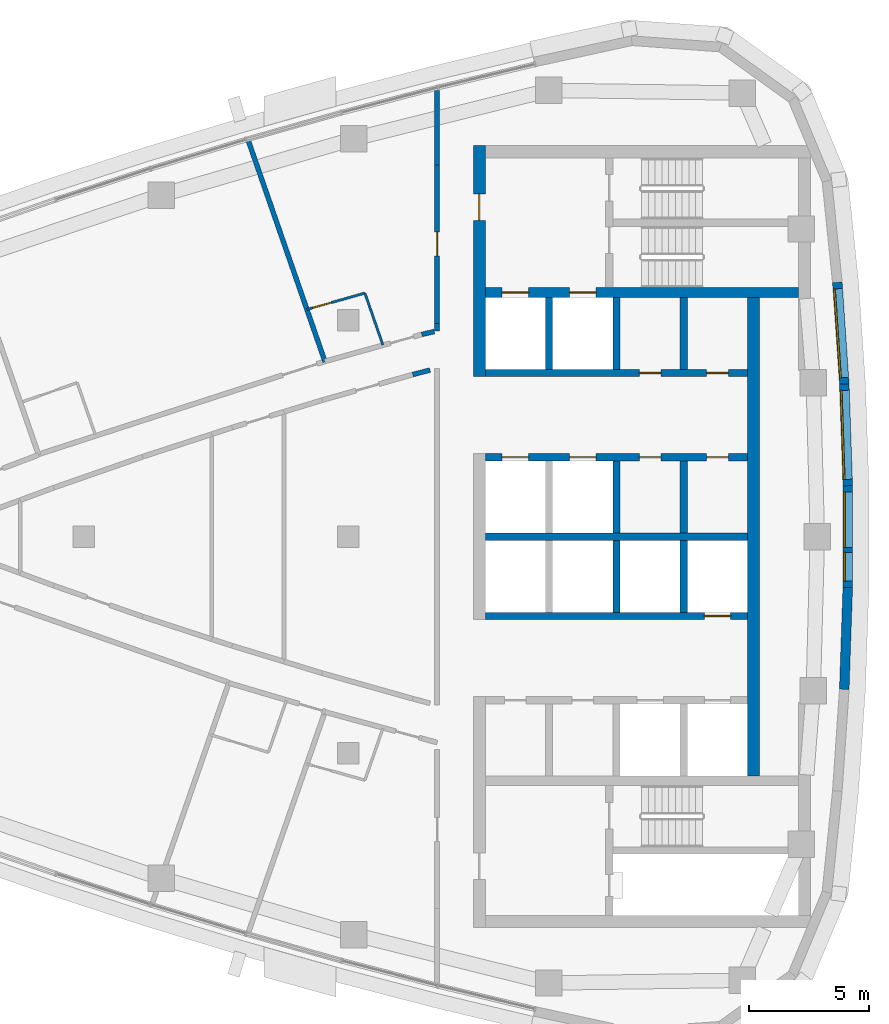
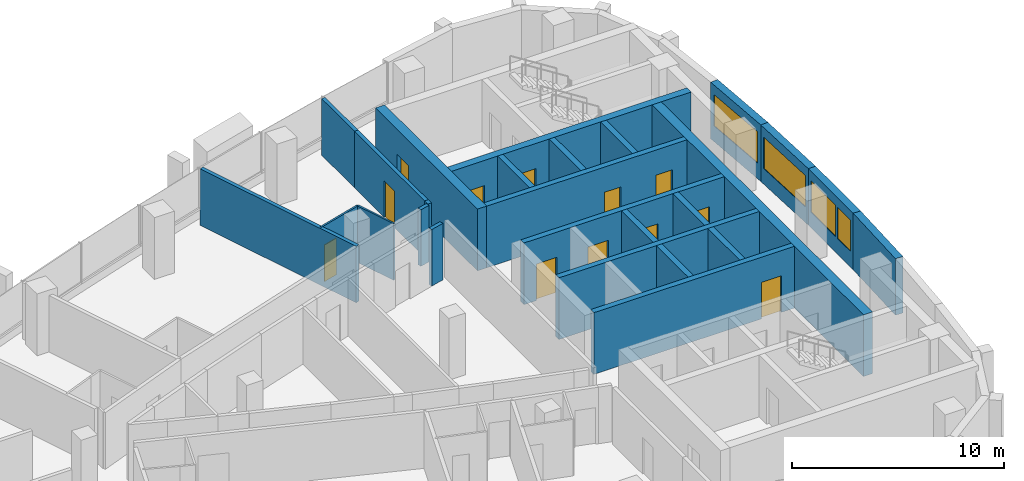
# One storey, part 9 of 14: 26 walls, 12 doors, 4 windows, 16 openings.
"""IFC4 building model written with IfcOpenShell, lengths in metres."""

from ifc_helpers import new_model, si_unit, direction, frame, frame_2d, origin, place, context, subcontext, project, spatial, polyline, rectangle, outline, extrude, material, layer, layer_set, type_object, element, fill, save


model = new_model("IFC4")

# Units and contexts
model_context = context("Model", 3, precision=1e-05, world=origin(), true_north=direction((0.0, 1.0)))
body_context = subcontext(model_context, "Body", "Model", "MODEL_VIEW")
ifc_project = project(units=[si_unit("LENGTHUNIT", "METRE"), si_unit("AREAUNIT", "SQUARE_METRE"), si_unit("VOLUMEUNIT", "CUBIC_METRE"), si_unit("PLANEANGLEUNIT", "RADIAN"), si_unit("MASSUNIT", "GRAM", prefix="KILO")], contexts=[model_context])

# Site, building, storey
site_placement = place(None, origin())
site = spatial("IfcSite", under=ifc_project, at=site_placement, CompositionType="ELEMENT")
building_placement = place(site_placement, origin())
building = spatial("IfcBuilding", under=site, at=building_placement, Name="Ostrand Prow Hotel Tower", CompositionType="ELEMENT")
storey_placement = place(building_placement, frame((0.0, 0.0, 271.449951171875)))
storey = spatial("IfcBuildingStorey", under=building, at=storey_placement, Name="L68", CompositionType="ELEMENT", Elevation=271.449951171875)

# Wall
ifc_material_1 = material(Name="Concrete C50/60", Category="concrete")
ifc_layer_1 = layer(ifc_material_1, 0.300048828125)
ifc_layer_set_1 = layer_set([ifc_layer_1], Name="Concrete C50/60")
wall_type_1 = type_object("IfcWallType", Name="Core wall 300 C50/60", PredefinedType="SHEAR", material=ifc_layer_set_1)
wall_1_placement = place(storey_placement, frame((50.699951171875, 0.0, 0.0), z_axis=(0.0, 0.0, 1.0), x_axis=(1.0, 0.0, 0.0)))
element("IfcWall", 1, at=wall_1_placement, inside=storey, type_object=wall_type_1, Name="Core wall PW-C", PredefinedType="SHEAR", context=body_context, shape_type="SweptSolid", body=[
    extrude(rectangle(XDim=10.900146484375, YDim=0.300048828125, at=frame_2d((5.4501953125, 0.0))), origin(), (0.0, 0.0, 1.0), 3.550048828125),
])

# Wall, openings, doors
wall_2_placement = place(storey_placement, frame((50.699951171875, 3.300048828125, 0.0), z_axis=(0.0, 0.0, 1.0), x_axis=(1.0, 0.0, 0.0)))
wall_2 = element("IfcWall", 2, at=wall_2_placement, inside=storey, type_object=wall_type_1, Name="Core wall PW-L1-N", PredefinedType="SHEAR", context=body_context, shape_type="SweptSolid", body=[
    extrude(rectangle(XDim=10.900146484375, YDim=0.300048828125, at=frame_2d((5.4501953125, 0.0))), origin(), (0.0, 0.0, 1.0), 3.550048828125),
])
opening_1_placement = place(wall_2_placement, frame((0.699951171875, 0.0, 0.0)))
opening_1 = element("IfcOpeningElement", 3, at=opening_1_placement, cuts=wall_2, Name="Opening LD", PredefinedType="OPENING", context=body_context, shape_type="SweptSolid", body=[
    extrude(rectangle(XDim=1.10009765625, YDim=2.10009765625, at=frame_2d((0.550048828125, 1.050048828125))), frame((0.0, 0.159912109375, 0.0), z_axis=(0.0, -1.0, 0.0), x_axis=(1.0, 0.0, 0.0)), (0.0, 0.0, 1.0), 0.320068359375),
])
opening_2_placement = place(wall_2_placement, frame((3.5, 0.0, 0.0)))
opening_2 = element("IfcOpeningElement", 4, at=opening_2_placement, cuts=wall_2, Name="Opening LD", PredefinedType="OPENING", context=body_context, shape_type="SweptSolid", body=[
    extrude(rectangle(XDim=1.10009765625, YDim=2.10009765625, at=frame_2d((0.550048828125, 1.050048828125))), frame((0.0, 0.159912109375, 0.0), z_axis=(0.0, -1.0, 0.0), x_axis=(1.0, 0.0, 0.0)), (0.0, 0.0, 1.0), 0.320068359375),
])
opening_3_placement = place(wall_2_placement, frame((6.39990234375, 0.0, 0.0)))
opening_3 = element("IfcOpeningElement", 5, at=opening_3_placement, cuts=wall_2, Name="Opening FD2", PredefinedType="OPENING", context=body_context, shape_type="SweptSolid", body=[
    extrude(rectangle(XDim=0.89990234375, YDim=2.10009765625, at=frame_2d((0.449951171875, 1.050048828125))), frame((0.0, 0.159912109375, 0.0), z_axis=(0.0, -1.0, 0.0), x_axis=(1.0, 0.0, 0.0)), (0.0, 0.0, 1.0), 0.320068359375),
])
opening_4_placement = place(wall_2_placement, frame((9.199951171875, 0.0, 0.0)))
opening_4 = element("IfcOpeningElement", 6, at=opening_4_placement, cuts=wall_2, Name="Opening FD2", PredefinedType="OPENING", context=body_context, shape_type="SweptSolid", body=[
    extrude(rectangle(XDim=0.89990234375, YDim=2.10009765625, at=frame_2d((0.449951171875, 1.050048828125))), frame((0.0, 0.159912109375, 0.0), z_axis=(0.0, -1.0, 0.0), x_axis=(1.0, 0.0, 0.0)), (0.0, 0.0, 1.0), 0.320068359375),
])
ifc_material_2 = material(Name="Steel fire door", Category="steel")
door_type_1 = type_object("IfcDoorType", Name="Fire door 900 EI120", OperationType="SINGLE_SWING_LEFT", PredefinedType="DOOR", material=ifc_material_2)
door_1_placement = place(opening_3_placement, origin())
door_1 = element("IfcDoor", 7, at=door_1_placement, inside=storey, type_object=door_type_1, Name="DOOR", OperationType="SINGLE_SWING_LEFT", OverallHeight=2.10009765625, OverallWidth=0.89990234375, PredefinedType="DOOR", context=body_context, shape_type="SweptSolid", body=[
    extrude(rectangle(XDim=0.89990234375, YDim=2.10009765625, at=frame_2d((0.449951171875, 1.050048828125))), frame((0.0, 0.02490234375, 0.0), z_axis=(0.0, -1.0, 0.0), x_axis=(1.0, 0.0, 0.0)), (0.0, 0.0, 1.0), 0.050048828125),
])
fill(opening_3, door_1)
door_2_placement = place(opening_4_placement, origin())
door_2 = element("IfcDoor", 8, at=door_2_placement, inside=storey, type_object=door_type_1, Name="DOOR", OperationType="SINGLE_SWING_LEFT", OverallHeight=2.10009765625, OverallWidth=0.89990234375, PredefinedType="DOOR", context=body_context, shape_type="SweptSolid", body=[
    extrude(rectangle(XDim=0.89990234375, YDim=2.10009765625, at=frame_2d((0.449951171875, 1.050048828125))), frame((0.0, 0.02490234375, 0.0), z_axis=(0.0, -1.0, 0.0), x_axis=(1.0, 0.0, 0.0)), (0.0, 0.0, 1.0), 0.050048828125),
])
fill(opening_4, door_2)
ifc_material_3 = material(Name="Stainless steel door", Category="steel")
door_type_2 = type_object("IfcDoorType", Name="Lift landing door 1100", OperationType="DOUBLE_DOOR_SLIDING", PredefinedType="DOOR", material=ifc_material_3)
door_3_placement = place(opening_1_placement, origin())
door_3 = element("IfcDoor", 9, at=door_3_placement, inside=storey, type_object=door_type_2, Name="LIFT LANDING DOOR", OperationType="DOUBLE_DOOR_SLIDING", OverallHeight=2.10009765625, OverallWidth=1.10009765625, PredefinedType="DOOR", context=body_context, shape_type="SweptSolid", body=[
    extrude(rectangle(XDim=1.10009765625, YDim=2.10009765625, at=frame_2d((0.550048828125, 1.050048828125))), frame((0.0, 0.02490234375, 0.0), z_axis=(0.0, -1.0, 0.0), x_axis=(1.0, 0.0, 0.0)), (0.0, 0.0, 1.0), 0.050048828125),
])
fill(opening_1, door_3)
door_4_placement = place(opening_2_placement, origin())
door_4 = element("IfcDoor", 10, at=door_4_placement, inside=storey, type_object=door_type_2, Name="LIFT LANDING DOOR", OperationType="DOUBLE_DOOR_SLIDING", OverallHeight=2.10009765625, OverallWidth=1.10009765625, PredefinedType="DOOR", context=body_context, shape_type="SweptSolid", body=[
    extrude(rectangle(XDim=1.10009765625, YDim=2.10009765625, at=frame_2d((0.550048828125, 1.050048828125))), frame((0.0, 0.02490234375, 0.0), z_axis=(0.0, -1.0, 0.0), x_axis=(1.0, 0.0, 0.0)), (0.0, 0.0, 1.0), 0.050048828125),
])
fill(opening_2, door_4)

wall_3_placement = place(storey_placement, frame((50.699951171875, 6.800048828125, 0.0), z_axis=(0.0, 0.0, 1.0), x_axis=(1.0, 0.0, 0.0)))
wall_3 = element("IfcWall", 11, at=wall_3_placement, inside=storey, type_object=wall_type_1, Name="Core wall PW-L2-N", PredefinedType="SHEAR", context=body_context, shape_type="SweptSolid", body=[
    extrude(rectangle(XDim=10.900146484375, YDim=0.300048828125, at=frame_2d((5.4501953125, 0.0))), origin(), (0.0, 0.0, 1.0), 3.550048828125),
])
opening_5_placement = place(wall_3_placement, frame((6.39990234375, 0.0, 0.0)))
opening_5 = element("IfcOpeningElement", 12, at=opening_5_placement, cuts=wall_3, Name="Opening FD2", PredefinedType="OPENING", context=body_context, shape_type="SweptSolid", body=[
    extrude(rectangle(XDim=0.89990234375, YDim=2.10009765625, at=frame_2d((0.449951171875, 1.050048828125))), frame((0.0, 0.159912109375, 0.0), z_axis=(0.0, -1.0, 0.0), x_axis=(1.0, 0.0, 0.0)), (0.0, 0.0, 1.0), 0.320068359375),
])
opening_6_placement = place(wall_3_placement, frame((9.199951171875, 0.0, 0.0)))
opening_6 = element("IfcOpeningElement", 13, at=opening_6_placement, cuts=wall_3, Name="Opening FD2", PredefinedType="OPENING", context=body_context, shape_type="SweptSolid", body=[
    extrude(rectangle(XDim=0.89990234375, YDim=2.10009765625, at=frame_2d((0.449951171875, 1.050048828125))), frame((0.0, 0.159912109375, 0.0), z_axis=(0.0, -1.0, 0.0), x_axis=(1.0, 0.0, 0.0)), (0.0, 0.0, 1.0), 0.320068359375),
])
door_5_placement = place(opening_5_placement, origin())
door_5 = element("IfcDoor", 14, at=door_5_placement, inside=storey, type_object=door_type_1, Name="DOOR", OperationType="SINGLE_SWING_LEFT", OverallHeight=2.10009765625, OverallWidth=0.89990234375, PredefinedType="DOOR", context=body_context, shape_type="SweptSolid", body=[
    extrude(rectangle(XDim=0.89990234375, YDim=2.10009765625, at=frame_2d((0.449951171875, 1.050048828125))), frame((0.0, 0.02490234375, 0.0), z_axis=(0.0, -1.0, 0.0), x_axis=(1.0, 0.0, 0.0)), (0.0, 0.0, 1.0), 0.050048828125),
])
fill(opening_5, door_5)
door_6_placement = place(opening_6_placement, origin())
door_6 = element("IfcDoor", 15, at=door_6_placement, inside=storey, type_object=door_type_1, Name="DOOR", OperationType="SINGLE_SWING_LEFT", OverallHeight=2.10009765625, OverallWidth=0.89990234375, PredefinedType="DOOR", context=body_context, shape_type="SweptSolid", body=[
    extrude(rectangle(XDim=0.89990234375, YDim=2.10009765625, at=frame_2d((0.449951171875, 1.050048828125))), frame((0.0, 0.02490234375, 0.0), z_axis=(0.0, -1.0, 0.0), x_axis=(1.0, 0.0, 0.0)), (0.0, 0.0, 1.0), 0.050048828125),
])
fill(opening_6, door_6)

# Walls
for number, where, z_axis, x_axis, name in (
    (16, (53.35009765625, 6.949951171875, 0.0), (0.0, 0.0, 1.0), (0.0, 1.0, 0.0), "Core wall PW-R1-NA"),
    (17, (56.14990234375, 0.14990234375, 0.0), (0.0, 0.0, 1.0), (0.0, 1.0, 0.0), "Core wall PW-R2-NB"),
    (18, (56.14990234375, 6.949951171875, 0.0), (0.0, 0.0, 1.0), (0.0, 1.0, 0.0), "Core wall PW-R2-NA"),
    (19, (58.949951171875, 0.14990234375, 0.0), (0.0, 0.0, 1.0), (0.0, 1.0, 0.0), "Core wall PW-R3-NB"),
    (20, (58.949951171875, 6.949951171875, 0.0), (0.0, 0.0, 1.0), (0.0, 1.0, 0.0), "Core wall PW-R3-NA"),
):
    element("IfcWall", number, at=place(storey_placement, frame(where, z_axis=z_axis, x_axis=x_axis)), inside=storey, type_object=wall_type_1, Name=name, PredefinedType="SHEAR", context=body_context, shape_type="SweptSolid", body=[
        extrude(rectangle(XDim=3.0, YDim=0.300048828125, at=frame_2d((1.5, 0.0))), origin(), (0.0, 0.0, 1.0), 3.550048828125),
    ])

# Wall, opening, door
wall_4_placement = place(storey_placement, frame((50.699951171875, -3.300048828125, 0.0), z_axis=(0.0, 0.0, 1.0), x_axis=(1.0, 0.0, 0.0)))
wall_4 = element("IfcWall", 21, at=wall_4_placement, inside=storey, type_object=wall_type_1, Name="Core wall PW-L1-S", PredefinedType="SHEAR", context=body_context, shape_type="SweptSolid", body=[
    extrude(rectangle(XDim=10.900146484375, YDim=0.300048828125, at=frame_2d((5.4501953125, 0.0))), origin(), (0.0, 0.0, 1.0), 3.550048828125),
])
opening_7_placement = place(wall_4_placement, frame((9.10009765625, 0.0, 0.0)))
opening_7 = element("IfcOpeningElement", 22, at=opening_7_placement, cuts=wall_4, Name="Opening LD", PredefinedType="OPENING", context=body_context, shape_type="SweptSolid", body=[
    extrude(rectangle(XDim=1.10009765625, YDim=2.10009765625, at=frame_2d((0.550048828125, 1.050048828125))), frame((0.0, 0.159912109375, 0.0), z_axis=(0.0, -1.0, 0.0), x_axis=(1.0, 0.0, 0.0)), (0.0, 0.0, 1.0), 0.320068359375),
])
door_7_placement = place(opening_7_placement, origin())
door_7 = element("IfcDoor", 23, at=door_7_placement, inside=storey, type_object=door_type_2, Name="LIFT LANDING DOOR", OperationType="DOUBLE_DOOR_SLIDING", OverallHeight=2.10009765625, OverallWidth=1.10009765625, PredefinedType="DOOR", context=body_context, shape_type="SweptSolid", body=[
    extrude(rectangle(XDim=1.10009765625, YDim=2.10009765625, at=frame_2d((0.550048828125, 1.050048828125))), frame((0.0, 0.02490234375, 0.0), z_axis=(0.0, -1.0, 0.0), x_axis=(1.0, 0.0, 0.0)), (0.0, 0.0, 1.0), 0.050048828125),
])
fill(opening_7, door_7)

# Walls
for number, where, z_axis, x_axis, name in (
    (24, (56.14990234375, -3.14990234375, 0.0), (0.0, 0.0, 1.0), (0.0, 1.0, 0.0), "Core wall PW-R2-SB"),
    (25, (58.949951171875, -3.14990234375, 0.0), (0.0, 0.0, 1.0), (0.0, 1.0, 0.0), "Core wall PW-R3-SB"),
):
    element("IfcWall", number, at=place(storey_placement, frame(where, z_axis=z_axis, x_axis=x_axis)), inside=storey, type_object=wall_type_1, Name=name, PredefinedType="SHEAR", context=body_context, shape_type="SweptSolid", body=[
        extrude(rectangle(XDim=3.0, YDim=0.300048828125, at=frame_2d((1.5, 0.0))), origin(), (0.0, 0.0, 1.0), 3.550048828125),
    ])

# Wall, openings, doors
ifc_material_4 = material(Name="Concrete C50/60", Category="concrete")
ifc_layer_2 = layer(ifc_material_4, 0.39990234375)
ifc_layer_set_2 = layer_set([ifc_layer_2], Name="Concrete C50/60")
wall_type_2 = type_object("IfcWallType", Name="Core wall 400 C50/60", PredefinedType="SHEAR", material=ifc_layer_set_2)
wall_5_placement = place(storey_placement, frame((50.699951171875, 10.14990234375, 0.0), z_axis=(0.0, 0.0, 1.0), x_axis=(1.0, 0.0, 0.0)))
wall_5 = element("IfcWall", 26, at=wall_5_placement, inside=storey, type_object=wall_type_2, Name="Core wall PW-BN", PredefinedType="SHEAR", context=body_context, shape_type="SweptSolid", body=[
    extrude(rectangle(XDim=13.02001953125, YDim=0.39990234375, at=frame_2d((6.510009765625, 0.0))), origin(), (0.0, 0.0, 1.0), 3.550048828125),
])
opening_8_placement = place(wall_5_placement, frame((0.699951171875, 0.0, 0.0)))
opening_8 = element("IfcOpeningElement", 27, at=opening_8_placement, cuts=wall_5, Name="Opening LD", PredefinedType="OPENING", context=body_context, shape_type="SweptSolid", body=[
    extrude(rectangle(XDim=1.10009765625, YDim=2.10009765625, at=frame_2d((0.550048828125, 1.050048828125))), frame((0.0, 0.2099609375, 0.0), z_axis=(0.0, -1.0, 0.0), x_axis=(1.0, 0.0, 0.0)), (0.0, 0.0, 1.0), 0.419921875),
])
opening_9_placement = place(wall_5_placement, frame((3.5, 0.0, 0.0)))
opening_9 = element("IfcOpeningElement", 28, at=opening_9_placement, cuts=wall_5, Name="Opening LD", PredefinedType="OPENING", context=body_context, shape_type="SweptSolid", body=[
    extrude(rectangle(XDim=1.10009765625, YDim=2.10009765625, at=frame_2d((0.550048828125, 1.050048828125))), frame((0.0, 0.2099609375, 0.0), z_axis=(0.0, -1.0, 0.0), x_axis=(1.0, 0.0, 0.0)), (0.0, 0.0, 1.0), 0.419921875),
])
door_8_placement = place(opening_8_placement, origin())
door_8 = element("IfcDoor", 29, at=door_8_placement, inside=storey, type_object=door_type_2, Name="LIFT LANDING DOOR", OperationType="DOUBLE_DOOR_SLIDING", OverallHeight=2.10009765625, OverallWidth=1.10009765625, PredefinedType="DOOR", context=body_context, shape_type="SweptSolid", body=[
    extrude(rectangle(XDim=1.10009765625, YDim=2.10009765625, at=frame_2d((0.550048828125, 1.050048828125))), frame((0.0, 0.02490234375, 0.0), z_axis=(0.0, -1.0, 0.0), x_axis=(1.0, 0.0, 0.0)), (0.0, 0.0, 1.0), 0.050048828125),
])
fill(opening_8, door_8)
door_9_placement = place(opening_9_placement, origin())
door_9 = element("IfcDoor", 30, at=door_9_placement, inside=storey, type_object=door_type_2, Name="LIFT LANDING DOOR", OperationType="DOUBLE_DOOR_SLIDING", OverallHeight=2.10009765625, OverallWidth=1.10009765625, PredefinedType="DOOR", context=body_context, shape_type="SweptSolid", body=[
    extrude(rectangle(XDim=1.10009765625, YDim=2.10009765625, at=frame_2d((0.550048828125, 1.050048828125))), frame((0.0, 0.02490234375, 0.0), z_axis=(0.0, -1.0, 0.0), x_axis=(1.0, 0.0, 0.0)), (0.0, 0.0, 1.0), 0.050048828125),
])
fill(opening_9, door_9)

# Wall, opening, door
ifc_material_5 = material(Name="Concrete C50/60", Category="concrete")
ifc_layer_3 = layer(ifc_material_5, 0.5)
ifc_layer_set_3 = layer_set([ifc_layer_3], Name="Concrete C50/60")
wall_type_3 = type_object("IfcWallType", Name="Core wall 500 C50/60", PredefinedType="SHEAR", material=ifc_layer_set_3)
wall_6_placement = place(storey_placement, frame((50.449951171875, 6.64990234375, 0.0), z_axis=(0.0, 0.0, 1.0), x_axis=(0.0, 1.0, 0.0)))
wall_6 = element("IfcWall", 31, at=wall_6_placement, inside=storey, type_object=wall_type_3, Name="Core wall CW-W-N", PredefinedType="SHEAR", context=body_context, shape_type="SweptSolid", body=[
    extrude(rectangle(XDim=9.60009765625, YDim=0.5, at=frame_2d((4.800048828125, 0.0))), origin(), (0.0, 0.0, 1.0), 3.550048828125),
])
opening_10_placement = place(wall_6_placement, frame((6.5, 0.0, 0.0)))
opening_10 = element("IfcOpeningElement", 32, at=opening_10_placement, cuts=wall_6, Name="Opening FD1", PredefinedType="OPENING", context=body_context, shape_type="SweptSolid", body=[
    extrude(rectangle(XDim=1.10009765625, YDim=2.10009765625, at=frame_2d((0.550048828125, 1.050048828125))), frame((0.0, 0.260009765625, 0.0), z_axis=(0.0, -1.0, 0.0), x_axis=(1.0, 0.0, 0.0)), (0.0, 0.0, 1.0), 0.52001953125),
])
ifc_material_6 = material(Name="Steel fire door", Category="steel")
door_type_3 = type_object("IfcDoorType", Name="Fire door 1100 EI120", OperationType="SINGLE_SWING_RIGHT", PredefinedType="DOOR", material=ifc_material_6)
door_10_placement = place(opening_10_placement, origin())
door_10 = element("IfcDoor", 33, at=door_10_placement, inside=storey, type_object=door_type_3, Name="FIRE DOOR", OperationType="SINGLE_SWING_RIGHT", OverallHeight=2.10009765625, OverallWidth=1.10009765625, PredefinedType="DOOR", context=body_context, shape_type="SweptSolid", body=[
    extrude(rectangle(XDim=1.10009765625, YDim=2.10009765625, at=frame_2d((0.550048828125, 1.050048828125))), frame((0.0, 0.02490234375, 0.0), z_axis=(0.0, -1.0, 0.0), x_axis=(1.0, 0.0, 0.0)), (0.0, 0.0, 1.0), 0.050048828125),
])
fill(opening_10, door_10)

# Wall
wall_7_placement = place(storey_placement, frame((61.85009765625, -9.949951171875, 0.0), z_axis=(0.0, 0.0, 1.0), x_axis=(0.0, 1.0, 0.0)))
element("IfcWall", 34, at=wall_7_placement, inside=storey, type_object=wall_type_3, Name="Core wall CW-E-C", PredefinedType="SHEAR", context=body_context, shape_type="SweptSolid", body=[
    extrude(rectangle(XDim=19.89990234375, YDim=0.5, at=frame_2d((9.949951171875, 0.0))), origin(), (0.0, 0.0, 1.0), 3.550048828125),
])

# Wall, opening, door
ifc_material_7 = material(Name="Plasterboard partition")
ifc_layer_4 = layer(ifc_material_7, 0.10009765625)
ifc_layer_set_4 = layer_set([ifc_layer_4], Name="Plasterboard partition")
wall_type_4 = type_object("IfcWallType", Name="Partition 100 bathroom wall", PredefinedType="PARTITIONING", material=ifc_layer_set_4)
wall_8_placement = place(storey_placement, frame((43.28271484375, 9.443603515625, 0.0), z_axis=(0.0, 0.0, 1.0), x_axis=(0.962409173596, 0.271603723424, 0.0)))
wall_8 = element("IfcWall", 35, at=wall_8_placement, inside=storey, type_object=wall_type_4, Name="BATHROOM WALL", PredefinedType="PARTITIONING", context=body_context, shape_type="SweptSolid", body=[
    extrude(rectangle(XDim=2.50439453125, YDim=0.10009765625, at=frame_2d((1.252197265625, 0.0))), origin(), (0.0, 0.0, 1.0), 3.25),
])
opening_11_placement = place(wall_8_placement, frame((0.25, 0.0, 0.0)))
opening_11 = element("IfcOpeningElement", 36, at=opening_11_placement, cuts=wall_8, Name="Opening D2", PredefinedType="OPENING", context=body_context, shape_type="SweptSolid", body=[
    extrude(rectangle(XDim=0.800048828125, YDim=2.10009765625, at=frame_2d((0.39990234375, 1.050048828125))), frame((0.0, 0.06005859375, 0.0), z_axis=(0.0, -1.0, 0.0), x_axis=(1.0, 0.0, 0.0)), (0.0, 0.0, 1.0), 0.1201171875),
])
ifc_material_8 = material(Name="Timber door leaf", Category="wood")
door_type_4 = type_object("IfcDoorType", Name="Bathroom door 800", OperationType="SINGLE_SWING_LEFT", PredefinedType="DOOR", material=ifc_material_8)
door_11_placement = place(opening_11_placement, origin())
door_11 = element("IfcDoor", 37, at=door_11_placement, inside=storey, type_object=door_type_4, Name="DOOR", OperationType="SINGLE_SWING_LEFT", OverallHeight=2.10009765625, OverallWidth=0.800048828125, PredefinedType="DOOR", context=body_context, shape_type="SweptSolid", body=[
    extrude(rectangle(XDim=0.800048828125, YDim=2.10009765625, at=frame_2d((0.39990234375, 1.050048828125))), frame((0.0, 0.02490234375, 0.0), z_axis=(0.0, -1.0, 0.0), x_axis=(1.0, 0.0, 0.0)), (0.0, 0.0, 1.0), 0.050048828125),
])
fill(opening_11, door_11)

# Walls
wall_9_placement = place(storey_placement, frame((45.69287109375, 10.123779296875, 0.0), z_axis=(0.0, 0.0, 1.0), x_axis=(0.327764902685, -0.944759317799, 0.0)))
element("IfcWall", 38, at=wall_9_placement, inside=storey, type_object=wall_type_4, Name="BATHROOM WALL", PredefinedType="PARTITIONING", context=body_context, shape_type="SweptSolid", body=[
    extrude(rectangle(XDim=2.28076171875, YDim=0.10009765625, at=frame_2d((1.140380859375, 0.0))), origin(), (0.0, 0.0, 1.0), 3.25),
])
ifc_material_9 = material(Name="Plasterboard partition")
ifc_layer_5 = layer(ifc_material_9, 0.199951171875)
ifc_layer_set_5 = layer_set([ifc_layer_5], Name="Plasterboard partition")
wall_type_5 = type_object("IfcWallType", Name="Partition 200 corridor wall", PredefinedType="PARTITIONING", material=ifc_layer_set_5)
wall_10_placement = place(storey_placement, frame((47.684326171875, 6.737548828125, 0.0), z_axis=(0.0, 0.0, 1.0), x_axis=(0.967585713416, 0.252542842294, 0.0)))
element("IfcWall", 39, at=wall_10_placement, inside=storey, type_object=wall_type_5, Name="CORRIDOR WALL", PredefinedType="PARTITIONING", context=body_context, shape_type="SweptSolid", body=[
    extrude(rectangle(XDim=0.739501953125, YDim=0.199951171875, at=frame_2d((0.36962890625, 0.0))), origin(), (0.0, 0.0, 1.0), 3.25),
])

# Wall, opening, door
wall_11_placement = place(storey_placement, frame((48.695068359375, 15.455078125, 0.0), z_axis=(0.0, 0.0, 1.0), x_axis=(0.0, -1.0, 0.0)))
wall_11 = element("IfcWall", 40, at=wall_11_placement, inside=storey, type_object=wall_type_5, Name="CORRIDOR WALL", PredefinedType="PARTITIONING", context=body_context, shape_type="SweptSolid", body=[
    extrude(rectangle(XDim=6.60302734375, YDim=0.199951171875, at=frame_2d((3.301513671875, 0.0))), origin(), (0.0, 0.0, 1.0), 3.25),
])
opening_12_placement = place(wall_11_placement, frame((2.787109375, 0.0, 0.0)))
opening_12 = element("IfcOpeningElement", 41, at=opening_12_placement, cuts=wall_11, Name="Opening D1R", PredefinedType="OPENING", context=body_context, shape_type="SweptSolid", body=[
    extrude(rectangle(XDim=1.0, YDim=2.10009765625, at=frame_2d((0.5, 1.050048828125))), frame((0.0, 0.10986328125, 0.0), z_axis=(0.0, -1.0, 0.0), x_axis=(1.0, 0.0, 0.0)), (0.0, 0.0, 1.0), 0.219970703125),
])
ifc_material_10 = material(Name="Timber door leaf", Category="wood")
door_type_5 = type_object("IfcDoorType", Name="Guest room door 1000 right", OperationType="SINGLE_SWING_RIGHT", PredefinedType="DOOR", material=ifc_material_10)
door_12_placement = place(opening_12_placement, origin())
door_12 = element("IfcDoor", 42, at=door_12_placement, inside=storey, type_object=door_type_5, Name="DOOR", OperationType="SINGLE_SWING_RIGHT", OverallHeight=2.10009765625, OverallWidth=1.0, PredefinedType="DOOR", context=body_context, shape_type="SweptSolid", body=[
    extrude(rectangle(XDim=1.0, YDim=2.10009765625, at=frame_2d((0.5, 1.050048828125))), frame((0.0, 0.02490234375, 0.0), z_axis=(0.0, -1.0, 0.0), x_axis=(1.0, 0.0, 0.0)), (0.0, 0.0, 1.0), 0.050048828125),
])
fill(opening_12, door_12)

# Walls
wall_12_placement = place(storey_placement, frame((48.695068359375, 18.55322265625, 0.0), z_axis=(0.0, 0.0, 1.0), x_axis=(0.0, -1.0, 0.0)))
element("IfcWall", 43, at=wall_12_placement, inside=storey, type_object=wall_type_5, Name="CORRIDOR WALL", PredefinedType="PARTITIONING", context=body_context, shape_type="SweptSolid", body=[
    extrude(rectangle(XDim=3.09814453125, YDim=0.199951171875, at=frame_2d((1.549072265625, 0.0))), origin(), (0.0, 0.0, 1.0), 3.25),
])
wall_13_placement = place(storey_placement, frame((48.695068359375, 8.85205078125, 0.0), z_axis=(0.0, 0.0, 1.0), x_axis=(0.0, -1.0, 0.0)))
element("IfcWall", 44, at=wall_13_placement, inside=storey, type_object=wall_type_5, Name="CORRIDOR WALL", PredefinedType="PARTITIONING", context=body_context, shape_type="SweptSolid", body=[
    extrude(rectangle(XDim=0.31005859375, YDim=0.199951171875, at=frame_2d((0.155029296875, 0.0))), origin(), (0.0, 0.0, 1.0), 3.25),
])
wall_14_placement = place(storey_placement, frame((48.5791015625, 8.525146484375, 0.0), z_axis=(0.0, 0.0, 1.0), x_axis=(-0.974742633665, -0.223331140051, 0.0)))
element("IfcWall", 45, at=wall_14_placement, inside=storey, type_object=wall_type_5, Name="CORRIDOR WALL", PredefinedType="PARTITIONING", context=body_context, shape_type="SweptSolid", body=[
    extrude(rectangle(XDim=0.536865234375, YDim=0.199951171875, at=frame_2d((0.2685546875, 0.0))), origin(), (0.0, 0.0, 1.0), 3.25),
])
ifc_material_11 = material(Name="Plasterboard partition")
ifc_layer_6 = layer(ifc_material_11, 0.199951171875)
ifc_layer_set_6 = layer_set([ifc_layer_6], Name="Plasterboard partition")
wall_type_6 = type_object("IfcWallType", Name="Partition 200 key partition", PredefinedType="PARTITIONING", material=ifc_layer_set_6)
wall_15_placement = place(storey_placement, frame((44.037841796875, 7.266845703125, 0.0), z_axis=(0.0, 0.0, 1.0), x_axis=(-0.327714576096, 0.944776776077, 0.0)))
element("IfcWall", 46, at=wall_15_placement, inside=storey, type_object=wall_type_6, Name="KEY PARTITION", PredefinedType="PARTITIONING", context=body_context, shape_type="SweptSolid", body=[
    extrude(rectangle(XDim=9.716796875, YDim=0.199951171875, at=frame_2d((4.8583984375, 0.0))), origin(), (0.0, 0.0, 1.0), 3.25),
])
ifc_material_12 = material(Name="Precast concrete C40/50", Category="concrete")
ifc_layer_7 = layer(ifc_material_12, 0.39990234375)
ifc_layer_set_7 = layer_set([ifc_layer_7], Name="Precast concrete C40/50")
wall_type_7 = type_object("IfcWallType", Name="Stone-faced precast wall 400 mm", PredefinedType="NOTDEFINED", material=ifc_layer_set_7)
wall_16_placement = place(storey_placement, frame((65.6201171875, -6.34765625, 0.0), z_axis=(0.0, 0.0, 1.0), x_axis=(0.034082898699, 0.999419009233, 0.0)))
element("IfcWall", 47, at=wall_16_placement, inside=storey, type_object=wall_type_7, Name="Stone-faced wall back 7", PredefinedType="NOTDEFINED", context=body_context, shape_type="SweptSolid", body=[
    extrude(outline(polyline([(-0.00341796875, -0.199951171875), (4.23681640625, -0.199951171875), (4.22998046875, 0.199951171875), (0.00341796875, 0.199951171875), (-0.00341796875, -0.199951171875)])), origin(), (0.0, 0.0, 1.0), 3.25),
])

# Wall, openings, windows
wall_17_placement = place(storey_placement, frame((65.764404296875, -2.11669921875, 0.0), z_axis=(0.0, 0.0, 1.0), x_axis=(0.0, 1.0, 0.0)))
wall_17 = element("IfcWall", 48, at=wall_17_placement, inside=storey, type_object=wall_type_7, Name="Stone-faced wall back 8", PredefinedType="NOTDEFINED", context=body_context, shape_type="SweptSolid", body=[
    extrude(outline(polyline([(-0.00341796875, -0.199951171875), (4.23681640625, -0.199951171875), (4.22998046875, 0.199951171875), (0.00341796875, 0.199951171875), (-0.00341796875, -0.199951171875)])), origin(), (0.0, 0.0, 1.0), 3.25),
])
opening_13_placement = place(wall_17_placement, frame((0.2666015625, 0.0, 0.89990234375)))
opening_13 = element("IfcOpeningElement", 49, at=opening_13_placement, cuts=wall_17, Name="Opening WS4", PredefinedType="OPENING", context=body_context, shape_type="SweptSolid", body=[
    extrude(rectangle(XDim=1.199951171875, YDim=1.800048828125, at=frame_2d((0.60009765625, 0.89990234375))), frame((0.0, 0.2099609375, 0.0), z_axis=(0.0, -1.0, 0.0), x_axis=(1.0, 0.0, 0.0)), (0.0, 0.0, 1.0), 0.419921875),
])
opening_14_placement = place(wall_17_placement, frame((1.666748046875, 0.0, 0.89990234375)))
opening_14 = element("IfcOpeningElement", 50, at=opening_14_placement, cuts=wall_17, Name="Opening WS5-23", PredefinedType="OPENING", context=body_context, shape_type="SweptSolid", body=[
    extrude(rectangle(XDim=2.300048828125, YDim=1.800048828125, at=frame_2d((1.14990234375, 0.89990234375))), frame((0.0, 0.2099609375, 0.0), z_axis=(0.0, -1.0, 0.0), x_axis=(1.0, 0.0, 0.0)), (0.0, 0.0, 1.0), 0.419921875),
])
ifc_material_13 = material(Name="Insulated glass in bronze frame", Category="glass")
window_type_1 = type_object("IfcWindowType", Name="Fixed strip window 2300x1800", PartitioningType="SINGLE_PANEL", PredefinedType="WINDOW", material=ifc_material_13)
window_1_placement = place(opening_14_placement, origin())
window_1 = element("IfcWindow", 51, at=window_1_placement, inside=storey, type_object=window_type_1, Name="Window back 8.2", OverallHeight=1.800048828125, OverallWidth=2.300048828125, PartitioningType="SINGLE_PANEL", PredefinedType="WINDOW", context=body_context, shape_type="SweptSolid", body=[
    extrude(rectangle(XDim=2.300048828125, YDim=1.800048828125, at=frame_2d((1.14990234375, 0.89990234375))), frame((0.0, 0.169921875, 0.0), z_axis=(0.0, -1.0, 0.0), x_axis=(1.0, 0.0, 0.0)), (0.0, 0.0, 1.0), 0.06005859375),
])
fill(opening_14, window_1)
ifc_material_14 = material(Name="Insulated glass in bronze frame", Category="glass")
window_type_2 = type_object("IfcWindowType", Name="Operable strip panel 1200x1800", PartitioningType="SINGLE_PANEL", PredefinedType="WINDOW", material=ifc_material_14)
window_2_placement = place(opening_13_placement, origin())
window_2 = element("IfcWindow", 52, at=window_2_placement, inside=storey, type_object=window_type_2, Name="Window back 8.1", OverallHeight=1.800048828125, OverallWidth=1.199951171875, PartitioningType="SINGLE_PANEL", PredefinedType="WINDOW", context=body_context, shape_type="SweptSolid", body=[
    extrude(rectangle(XDim=1.199951171875, YDim=1.800048828125, at=frame_2d((0.60009765625, 0.89990234375))), frame((0.0, 0.169921875, 0.0), z_axis=(0.0, -1.0, 0.0), x_axis=(1.0, 0.0, 0.0)), (0.0, 0.0, 1.0), 0.06005859375),
])
fill(opening_13, window_2)

# Wall, opening, window
wall_18_placement = place(storey_placement, frame((65.764404296875, 2.11669921875, 0.0), z_axis=(0.0, 0.0, 1.0), x_axis=(-0.034082898699, 0.999419009233, 0.0)))
wall_18 = element("IfcWall", 53, at=wall_18_placement, inside=storey, type_object=wall_type_7, Name="Stone-faced wall back 9", PredefinedType="NOTDEFINED", context=body_context, shape_type="SweptSolid", body=[
    extrude(outline(polyline([(-0.00341796875, -0.199951171875), (4.23681640625, -0.199951171875), (4.22998046875, 0.199951171875), (0.00341796875, 0.199951171875), (-0.00341796875, -0.199951171875)])), origin(), (0.0, 0.0, 1.0), 3.25),
])
opening_15_placement = place(wall_18_placement, frame((0.2666015625, 0.0, 0.89990234375)))
opening_15 = element("IfcOpeningElement", 54, at=opening_15_placement, cuts=wall_18, Name="Opening WS3-37", PredefinedType="OPENING", context=body_context, shape_type="SweptSolid", body=[
    extrude(rectangle(XDim=3.699951171875, YDim=1.800048828125, at=frame_2d((1.85009765625, 0.89990234375))), frame((0.0, 0.2099609375, 0.0), z_axis=(0.0, -1.0, 0.0), x_axis=(1.0, 0.0, 0.0)), (0.0, 0.0, 1.0), 0.419921875),
])
ifc_material_15 = material(Name="Insulated glass in bronze frame", Category="glass")
window_type_3 = type_object("IfcWindowType", Name="Strip window 3700x1800", PartitioningType="SINGLE_PANEL", PredefinedType="WINDOW", material=ifc_material_15)
window_3_placement = place(opening_15_placement, origin())
window_3 = element("IfcWindow", 55, at=window_3_placement, inside=storey, type_object=window_type_3, Name="Window back 9.1", OverallHeight=1.800048828125, OverallWidth=3.699951171875, PartitioningType="SINGLE_PANEL", PredefinedType="WINDOW", context=body_context, shape_type="SweptSolid", body=[
    extrude(rectangle(XDim=3.699951171875, YDim=1.800048828125, at=frame_2d((1.85009765625, 0.89990234375))), frame((0.0, 0.169921875, 0.0), z_axis=(0.0, -1.0, 0.0), x_axis=(1.0, 0.0, 0.0)), (0.0, 0.0, 1.0), 0.06005859375),
])
fill(opening_15, window_3)

wall_19_placement = place(storey_placement, frame((65.6201171875, 6.34765625, 0.0), z_axis=(0.0, 0.0, 1.0), x_axis=(-0.068279584479, 0.997666225921, 0.0)))
wall_19 = element("IfcWall", 56, at=wall_19_placement, inside=storey, type_object=wall_type_7, Name="Stone-faced wall back 10", PredefinedType="NOTDEFINED", context=body_context, shape_type="SweptSolid", body=[
    extrude(outline(polyline([(-0.00341796875, -0.199951171875), (4.23681640625, -0.199951171875), (4.22998046875, 0.199951171875), (0.00341796875, 0.199951171875), (-0.00341796875, -0.199951171875)])), origin(), (0.0, 0.0, 1.0), 3.25),
])
opening_16_placement = place(wall_19_placement, frame((0.2666015625, 0.0, 0.89990234375)))
opening_16 = element("IfcOpeningElement", 57, at=opening_16_placement, cuts=wall_19, Name="Opening WS3-37", PredefinedType="OPENING", context=body_context, shape_type="SweptSolid", body=[
    extrude(rectangle(XDim=3.699951171875, YDim=1.800048828125, at=frame_2d((1.85009765625, 0.89990234375))), frame((0.0, 0.2099609375, 0.0), z_axis=(0.0, -1.0, 0.0), x_axis=(1.0, 0.0, 0.0)), (0.0, 0.0, 1.0), 0.419921875),
])
window_4_placement = place(opening_16_placement, origin())
window_4 = element("IfcWindow", 58, at=window_4_placement, inside=storey, type_object=window_type_3, Name="Window back 10.1", OverallHeight=1.800048828125, OverallWidth=3.699951171875, PartitioningType="SINGLE_PANEL", PredefinedType="WINDOW", context=body_context, shape_type="SweptSolid", body=[
    extrude(rectangle(XDim=3.699951171875, YDim=1.800048828125, at=frame_2d((1.85009765625, 0.89990234375))), frame((0.0, 0.169921875, 0.0), z_axis=(0.0, -1.0, 0.0), x_axis=(1.0, 0.0, 0.0)), (0.0, 0.0, 1.0), 0.06005859375),
])
fill(opening_16, window_4)

save(model, "model.ifc")
